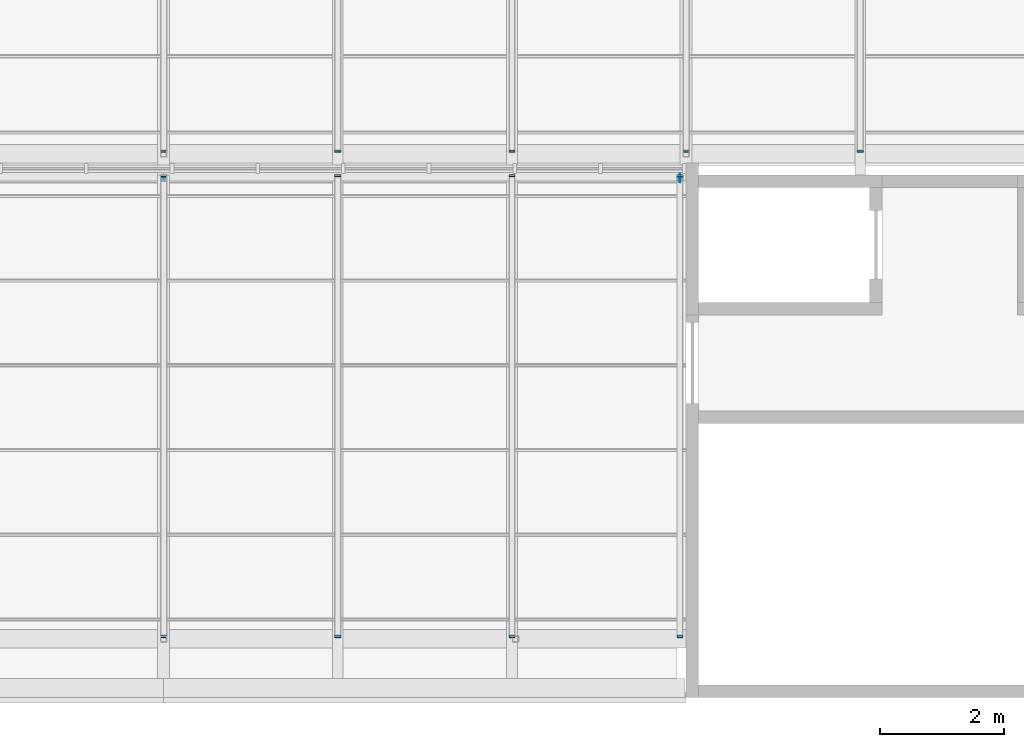
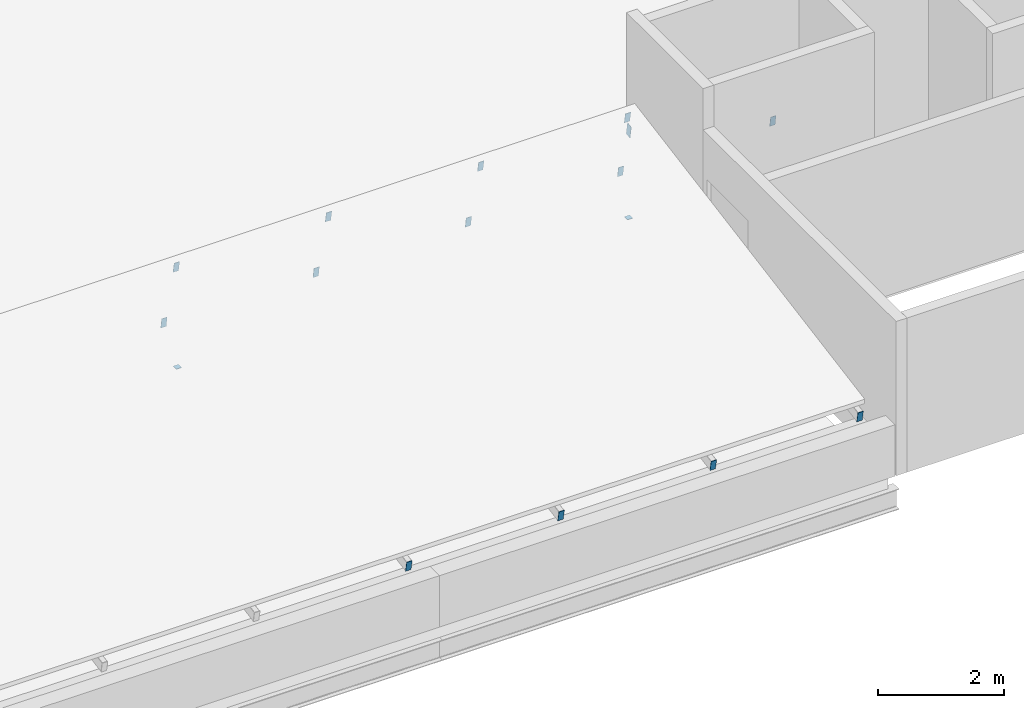
# One storey, part 26 of 33: 16 discrete accessories.
"""IFC4 building model written with IfcOpenShell, lengths in metres."""

import ifcopenshell
import ifcopenshell.guid

model = None  # the IFC model being written
_history = None  # IfcOwnerHistory: only IFC2X3 demands one
_inside = {}  # id of a spatial element -> (the spatial element, [elements in it])
_under = {}  # id of a project, library or spatial element -> (it, [spatial elements below it])
_declared = {}  # id of a project -> (the project, [libraries it declares])
_typed = {}  # id of a type object -> (the type object, [elements of that type])
_made_of = {}  # id of a material, layer set ... -> (it, [elements and type objects made of it])


def new_model(schema):
    """Start an empty IFC model of exactly this schema.

    Asked for "IFC4X3", IfcOpenShell would pick the latest addendum, in which some entities
    have other attributes; the version numbers below select the first issue.
    IFC2X3 requires an IfcOwnerHistory on every rooted entity: one is made here for all.
    """
    global model, _history
    if schema == "IFC4X3":
        model = ifcopenshell.file(schema_version=(4, 3, 0, 0))
    else:
        model = ifcopenshell.file(schema=schema)
    _inside.clear()
    _under.clear()
    _declared.clear()
    _typed.clear()
    _made_of.clear()
    _history = None
    if model.schema == "IFC2X3":
        org = make("IfcOrganization", Name="unknown")
        user = make(
            "IfcPersonAndOrganization",
            ThePerson=make("IfcPerson", FamilyName="unknown"),
            TheOrganization=org,
        )
        app = make(
            "IfcApplication",
            ApplicationDeveloper=org,
            Version="unknown",
            ApplicationFullName="unknown",
            ApplicationIdentifier="unknown",
        )
        _history = make(
            "IfcOwnerHistory",
            OwningUser=user,
            OwningApplication=app,
            ChangeAction="ADDED",
            CreationDate=0,
        )
    return model


def make(cls, **values):
    """One entity of the class cls with the attributes given. An attribute that is None is left unset."""
    return model.create_entity(
        cls, **{name: value for name, value in values.items() if value is not None}
    )


def rooted(cls, **values):
    """An entity with a GlobalId (a new one), such as an element, a storey or a relation."""
    return make(cls, GlobalId=ifcopenshell.guid.new(), OwnerHistory=_history, **values)


def si_unit(unit_type, name, prefix=None):
    """IfcSIUnit, for example si_unit("LENGTHUNIT", "METRE", prefix="MILLI")."""
    return make("IfcSIUnit", UnitType=unit_type, Prefix=prefix, Name=name)


def assignment(units):
    """IfcUnitAssignment: the units of a project."""
    return None if units is None else make("IfcUnitAssignment", Units=units)


def point(xyz):
    """IfcCartesianPoint."""
    return None if xyz is None else make("IfcCartesianPoint", Coordinates=xyz)


def direction(xyz):
    """IfcDirection."""
    return None if xyz is None else make("IfcDirection", DirectionRatios=xyz)


def frame(location, z_axis=None, x_axis=None):
    """IfcAxis2Placement3D, a coordinate frame: its origin and axes. An axis left out is left unset."""
    return make(
        "IfcAxis2Placement3D",
        Location=point(location),
        Axis=direction(z_axis),
        RefDirection=direction(x_axis),
    )


def frame_2d(location, x_axis=None):
    """IfcAxis2Placement2D, a coordinate frame in the plane: its origin and x axis."""
    return make(
        "IfcAxis2Placement2D", Location=point(location), RefDirection=direction(x_axis)
    )


def origin():
    """The frame at (0, 0, 0) with its axes left unset."""
    return frame((0.0, 0.0, 0.0))


def origin_2d():
    """The frame at (0, 0) in the plane with its x axis left unset."""
    return frame_2d((0.0, 0.0))


def place(relative_to, where):
    """IfcLocalPlacement: puts the frame where relative to a parent placement (None: the world)."""
    return make(
        "IfcLocalPlacement", PlacementRelTo=relative_to, RelativePlacement=where
    )


def context(
    kind, dimensions, precision=None, world=None, true_north=None, identifier=None
):
    """IfcGeometricRepresentationContext, for example the 3D "Model" context."""
    return make(
        "IfcGeometricRepresentationContext",
        ContextIdentifier=identifier,
        ContextType=kind,
        CoordinateSpaceDimension=dimensions,
        Precision=precision,
        WorldCoordinateSystem=world,
        TrueNorth=true_north,
    )


def subcontext(parent, identifier, kind, view, scale=None):
    """IfcGeometricRepresentationSubContext, for example "Body" below "Model"."""
    return make(
        "IfcGeometricRepresentationSubContext",
        ContextIdentifier=identifier,
        ContextType=kind,
        ParentContext=parent,
        TargetScale=scale,
        TargetView=view,
    )


def project(units=None, contexts=None):
    """IfcProject with its units and contexts."""
    return rooted(
        "IfcProject",
        Name="project",
        RepresentationContexts=contexts,
        UnitsInContext=assignment(units),
    )


def spatial(cls, under=None, at=None, **own):
    """A site, building, storey or space (cls), placed at a placement, below another one or the project."""
    s = rooted(cls, ObjectPlacement=at, **own)
    if under is not None:
        _under.setdefault(under.id(), (under, []))[1].append(s)
    return s


def profile(cls, at=None, kind="AREA", **sizes):
    """A parametric profile (cls). Its sizes go by their IFC names, for example OverallWidth=200.0."""
    return make(cls, ProfileType=kind, Position=at, **sizes)


def rectangle(**sizes):
    """IfcRectangleProfileDef."""
    return profile("IfcRectangleProfileDef", **sizes)


def extrude(swept, where, along, depth):
    """IfcExtrudedAreaSolid: the profile swept, set in the frame where, extruded along a direction by depth."""
    return make(
        "IfcExtrudedAreaSolid",
        SweptArea=swept,
        Position=where,
        ExtrudedDirection=direction(along),
        Depth=depth,
    )


def shape(context_of_items, identifier, shape_type, items):
    """IfcShapeRepresentation: the items that make up one representation, for example the "Body"."""
    return make(
        "IfcShapeRepresentation",
        ContextOfItems=context_of_items,
        RepresentationIdentifier=identifier,
        RepresentationType=shape_type,
        Items=items,
    )


def material(Name=None, Category=None):
    """IfcMaterial."""
    return make("IfcMaterial", Name=Name, Category=Category)


def material_profile(
    of_material, cross_section, Name=None, Category=None, Priority=None
):
    """IfcMaterialProfile: a cross section and its material."""
    return make(
        "IfcMaterialProfile",
        Name=Name,
        Material=of_material,
        Profile=cross_section,
        Priority=Priority,
        Category=Category,
    )


def profile_set(profiles, Name=None, composite=None):
    """IfcMaterialProfileSet."""
    return make(
        "IfcMaterialProfileSet",
        Name=Name,
        MaterialProfiles=profiles,
        CompositeProfile=composite,
    )


def made_of(thing, what):
    """Note that an element or type object is made of a material, layer set ...; save() writes the relation."""
    if what is not None:
        _made_of.setdefault(what.id(), (what, []))[1].append(thing)
    return thing


def type_object(cls, material=None, **own):
    """A type object (cls), such as IfcWallType, which elements share."""
    return made_of(rooted(cls, **own), material)


def element(
    cls,
    number,
    at=None,
    inside=None,
    cuts=None,
    type_object=None,
    material=None,
    context=None,
    identifier="Body",
    shape_type=None,
    held_by="IfcProductDefinitionShape",
    body=None,
    shapes=None,
    **own,
):
    """One element of the class cls, such as IfcWall. Its Tag is "e" and its number.

    at: its placement. inside: the storey or other place that contains it. cuts: it is an
    opening in that element (IfcRelVoidsElement). A single representation is given by context,
    identifier, shape_type and body (its items); several are given by shapes. held_by: the class
    of the entity that holds the representations. save() writes the other relations.
    """
    e = rooted(cls, Tag="e%d" % number, ObjectPlacement=at, **own)
    if body is not None:
        shapes = [shape(context, identifier, shape_type, body)]
    if shapes is not None:
        e.Representation = make(held_by, Representations=shapes)
    if inside is not None:
        _inside.setdefault(inside.id(), (inside, []))[1].append(e)
    if cuts is not None:
        rooted(
            "IfcRelVoidsElement", RelatingBuildingElement=cuts, RelatedOpeningElement=e
        )
    if type_object is not None:
        _typed.setdefault(type_object.id(), (type_object, []))[1].append(e)
    return made_of(e, material)


def aggregate(whole, parts):
    """IfcRelAggregates: a whole, such as a stair, and the parts it consists of."""
    return rooted("IfcRelAggregates", RelatingObject=whole, RelatedObjects=parts)


def save(model, path):
    """Write the relations noted so far, then the file.

    IfcRelAggregates (storeys below a building ...), IfcRelContainedInSpatialStructure (elements
    in a storey), IfcRelDefinesByType, IfcRelAssociatesMaterial and IfcRelDeclares: one each for
    every whole, place, type object, material and project.
    """
    for whole, parts in _under.values():
        aggregate(whole, parts)
    for where, things in _inside.values():
        rooted(
            "IfcRelContainedInSpatialStructure",
            RelatedElements=things,
            RelatingStructure=where,
        )
    for kind, things in _typed.values():
        rooted("IfcRelDefinesByType", RelatedObjects=things, RelatingType=kind)
    for what, things in _made_of.values():
        rooted("IfcRelAssociatesMaterial", RelatedObjects=things, RelatingMaterial=what)
    for by, libraries in _declared.values():
        rooted("IfcRelDeclares", RelatingContext=by, RelatedDefinitions=libraries)
    model.write(path)


model = new_model("IFC4")

# Units and contexts
model_context = context("Model", 3, precision=1e-05, world=origin(), true_north=direction((0.0, 1.0)))
body_context = subcontext(model_context, "Body", "Model", "MODEL_VIEW")
ifc_project = project(units=[si_unit("LENGTHUNIT", "METRE"), si_unit("AREAUNIT", "SQUARE_METRE"), si_unit("VOLUMEUNIT", "CUBIC_METRE"), si_unit("PLANEANGLEUNIT", "RADIAN"), si_unit("MASSUNIT", "GRAM", prefix="KILO")], contexts=[model_context])

# Site, building, storey
site_placement = place(None, origin())
site = spatial("IfcSite", under=ifc_project, at=site_placement, CompositionType="ELEMENT")
building_placement = place(site_placement, origin())
building = spatial("IfcBuilding", under=site, at=building_placement, Name="Ardhachandra Cancer Care Centre", CompositionType="ELEMENT")
storey_placement = place(building_placement, frame((0.0, 0.0, 27.0)))
storey = spatial("IfcBuildingStorey", under=building, at=storey_placement, Name="Roof", CompositionType="ELEMENT", Elevation=27.0)

# Discrete accessories
ifc_material_1 = material(Name="Galvanised flat steel (Steel E250 (IS 2062))", Category="steel")
ifc_material_profile_1 = material_profile(ifc_material_1, rectangle(XDim=0.10009765625, YDim=0.199951171875, at=origin_2d()), Name="Rafter end plate 200 x 100 x 8")
ifc_profile_set_1 = profile_set([ifc_material_profile_1], Name="Galvanised flat steel (Steel E250 (IS 2062))")
discrete_accessory_type_1 = type_object("IfcDiscreteAccessoryType", Name="Rafter end plate 200 x 100 x 8", PredefinedType="BRACKET", material=ifc_profile_set_1)
discrete_accessory_1_placement = place(storey_placement, frame((128.39990234375, 80.782470703125, 0.598388671875), z_axis=(0.0, -0.982872186934, -0.18428853505), x_axis=(1.0, 0.0, 0.0)))
element("IfcDiscreteAccessory", 1, at=discrete_accessory_1_placement, inside=storey, type_object=discrete_accessory_type_1, Name="Rafter end plate ST1a.7.1", PredefinedType="BRACKET", context=body_context, shape_type="SweptSolid", body=[
    extrude(rectangle(XDim=0.10009765625, YDim=0.199951171875, at=origin_2d()), origin(), (0.0, 0.0, 1.0), 0.008056640625),
])
discrete_accessory_2_placement = place(storey_placement, frame((128.39990234375, 88.182373046875, 1.91845703125), z_axis=(0.0, 0.9838699101, 0.1788854382), x_axis=(-1.0, 0.0, 0.0)))
element("IfcDiscreteAccessory", 2, at=discrete_accessory_2_placement, inside=storey, type_object=discrete_accessory_type_1, Name="Rafter end plate ST1a.7.2", PredefinedType="BRACKET", context=body_context, shape_type="SweptSolid", body=[
    extrude(rectangle(XDim=0.10009765625, YDim=0.199951171875, at=origin_2d()), origin(), (0.0, 0.0, 1.0), 0.00830078125),
])
discrete_accessory_3_placement = place(storey_placement, frame((131.199951171875, 80.782470703125, 0.598388671875), z_axis=(0.0, -0.982872186934, -0.18428853505), x_axis=(1.0, 0.0, 0.0)))
element("IfcDiscreteAccessory", 3, at=discrete_accessory_3_placement, inside=storey, type_object=discrete_accessory_type_1, Name="Rafter end plate ST1a.8.1", PredefinedType="BRACKET", context=body_context, shape_type="SweptSolid", body=[
    extrude(rectangle(XDim=0.10009765625, YDim=0.199951171875, at=origin_2d()), origin(), (0.0, 0.0, 1.0), 0.008056640625),
])
discrete_accessory_4_placement = place(storey_placement, frame((131.199951171875, 88.182373046875, 1.91845703125), z_axis=(0.0, 0.9838699101, 0.1788854382), x_axis=(-1.0, 0.0, 0.0)))
element("IfcDiscreteAccessory", 4, at=discrete_accessory_4_placement, inside=storey, type_object=discrete_accessory_type_1, Name="Rafter end plate ST1a.8.2", PredefinedType="BRACKET", context=body_context, shape_type="SweptSolid", body=[
    extrude(rectangle(XDim=0.10009765625, YDim=0.199951171875, at=origin_2d()), origin(), (0.0, 0.0, 1.0), 0.00830078125),
])
discrete_accessory_5_placement = place(storey_placement, frame((134.0, 80.782470703125, 0.598388671875), z_axis=(0.0, -0.982872186934, -0.18428853505), x_axis=(1.0, 0.0, 0.0)))
element("IfcDiscreteAccessory", 5, at=discrete_accessory_5_placement, inside=storey, type_object=discrete_accessory_type_1, Name="Rafter end plate ST1a.9.1", PredefinedType="BRACKET", context=body_context, shape_type="SweptSolid", body=[
    extrude(rectangle(XDim=0.10009765625, YDim=0.199951171875, at=origin_2d()), origin(), (0.0, 0.0, 1.0), 0.008056640625),
])
discrete_accessory_6_placement = place(storey_placement, frame((134.0, 88.182373046875, 1.91845703125), z_axis=(0.0, 0.9838699101, 0.1788854382), x_axis=(-1.0, 0.0, 0.0)))
element("IfcDiscreteAccessory", 6, at=discrete_accessory_6_placement, inside=storey, type_object=discrete_accessory_type_1, Name="Rafter end plate ST1a.9.2", PredefinedType="BRACKET", context=body_context, shape_type="SweptSolid", body=[
    extrude(rectangle(XDim=0.10009765625, YDim=0.199951171875, at=origin_2d()), origin(), (0.0, 0.0, 1.0), 0.00830078125),
])
discrete_accessory_7_placement = place(storey_placement, frame((136.699951171875, 80.782470703125, 0.598388671875), z_axis=(0.0, -0.982872186934, -0.18428853505), x_axis=(1.0, 0.0, 0.0)))
element("IfcDiscreteAccessory", 7, at=discrete_accessory_7_placement, inside=storey, type_object=discrete_accessory_type_1, Name="Rafter end plate ST1a.10.1", PredefinedType="BRACKET", context=body_context, shape_type="SweptSolid", body=[
    extrude(rectangle(XDim=0.10009765625, YDim=0.199951171875, at=origin_2d()), origin(), (0.0, 0.0, 1.0), 0.008056640625),
])
discrete_accessory_8_placement = place(storey_placement, frame((136.699951171875, 88.182373046875, 1.91845703125), z_axis=(0.0, 0.9838699101, 0.1788854382), x_axis=(-1.0, 0.0, 0.0)))
element("IfcDiscreteAccessory", 8, at=discrete_accessory_8_placement, inside=storey, type_object=discrete_accessory_type_1, Name="Rafter end plate ST1a.10.2", PredefinedType="BRACKET", context=body_context, shape_type="SweptSolid", body=[
    extrude(rectangle(XDim=0.10009765625, YDim=0.199951171875, at=origin_2d()), origin(), (0.0, 0.0, 1.0), 0.00830078125),
])
for number, where, z_axis, x_axis, name in (
    (9, (128.39990234375, 88.583740234375, 0.5986328125), (0.0, -0.988012033751, -0.154376880274), (1.0, 0.0, 0.0), "Rafter end plate ST2a.7.1"),
    (10, (131.199951171875, 88.583740234375, 0.5986328125), (0.0, -0.988012033751, -0.154376880274), (1.0, 0.0, 0.0), "Rafter end plate ST2a.8.1"),
    (11, (134.0, 88.583740234375, 0.5986328125), (0.0, -0.988012033751, -0.154376880274), (1.0, 0.0, 0.0), "Rafter end plate ST2a.9.1"),
    (12, (136.800048828125, 88.583740234375, 0.5986328125), (0.0, -0.988012033751, -0.154376880274), (1.0, 0.0, 0.0), "Rafter end plate ST2a.10.1"),
    (13, (139.60009765625, 88.583740234375, 0.5986328125), (0.0, -0.988012033751, -0.154376880274), (1.0, 0.0, 0.0), "Rafter end plate ST2a.11.1"),
):
    element("IfcDiscreteAccessory", number, at=place(storey_placement, frame(where, z_axis=z_axis, x_axis=x_axis)), inside=storey, type_object=discrete_accessory_type_1, Name=name, PredefinedType="BRACKET", context=body_context, shape_type="SweptSolid", body=[
        extrude(rectangle(XDim=0.10009765625, YDim=0.199951171875, at=origin_2d()), origin(), (0.0, 0.0, 1.0), 0.0078125),
    ])
ifc_material_2 = material(Name="Galvanised flat steel (Steel E250 (IS 2062))", Category="steel")
ifc_material_profile_2 = material_profile(ifc_material_2, rectangle(XDim=0.1201171875, YDim=0.239990234375, at=origin_2d()), Name="Ridge beam end plate 240 x 120 x 8")
ifc_profile_set_2 = profile_set([ifc_material_profile_2], Name="Galvanised flat steel (Steel E250 (IS 2062))")
discrete_accessory_type_2 = type_object("IfcDiscreteAccessoryType", Name="Ridge beam end plate 240 x 120 x 8", PredefinedType="BRACKET", material=ifc_profile_set_2)
discrete_accessory_9_placement = place(storey_placement, frame((136.699951171875, 88.14990234375, 1.689208984375), z_axis=(1.0, 0.0, 0.0), x_axis=(0.0, 0.984460447526, 0.175606455623)))
element("IfcDiscreteAccessory", 14, at=discrete_accessory_9_placement, inside=storey, type_object=discrete_accessory_type_2, Name="Ridge beam end plate ST1a.2", PredefinedType="BRACKET", context=body_context, shape_type="SweptSolid", body=[
    extrude(rectangle(XDim=0.1201171875, YDim=0.239990234375, at=origin_2d()), origin(), (0.0, 0.0, 1.0), 0.008056640625),
])
ifc_material_3 = material(Name="Galvanised flat steel (Steel E250 (IS 2062))", Category="steel")
ifc_material_profile_3 = material_profile(ifc_material_3, rectangle(XDim=0.10009765625, YDim=0.10009765625, at=origin_2d()), Name="Ridge post foot plate 100 x 100 x 8")
ifc_profile_set_3 = profile_set([ifc_material_profile_3], Name="Galvanised flat steel (Steel E250 (IS 2062))")
discrete_accessory_type_3 = type_object("IfcDiscreteAccessoryType", Name="Ridge post foot plate 100 x 100 x 8", PredefinedType="BRACKET", material=ifc_profile_set_3)
for number, where, z_axis, x_axis, name in (
    (15, (128.39990234375, 88.14990234375, 0.0), (0.0, 0.0, -1.0), (1.0, 0.0, 0.0), "Ridge post foot plate ST1a.3"),
    (16, (136.699951171875, 88.14990234375, 0.0), (0.0, 0.0, -1.0), (1.0, 0.0, 0.0), "Ridge post foot plate ST1a.4"),
):
    element("IfcDiscreteAccessory", number, at=place(storey_placement, frame(where, z_axis=z_axis, x_axis=x_axis)), inside=storey, type_object=discrete_accessory_type_3, Name=name, PredefinedType="BRACKET", context=body_context, shape_type="SweptSolid", body=[
        extrude(rectangle(XDim=0.10009765625, YDim=0.10009765625, at=origin_2d()), origin(), (0.0, 0.0, 1.0), 0.008056640625),
    ])

save(model, "model.ifc")
